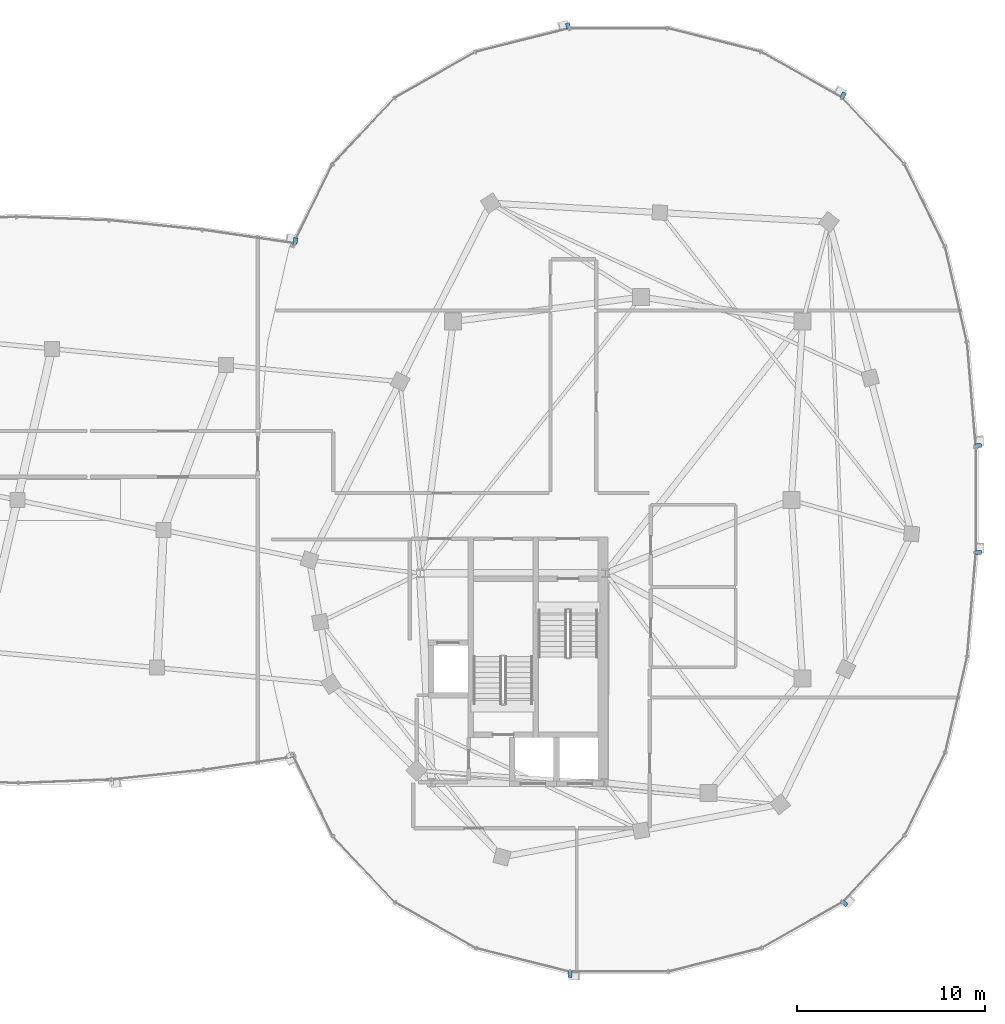
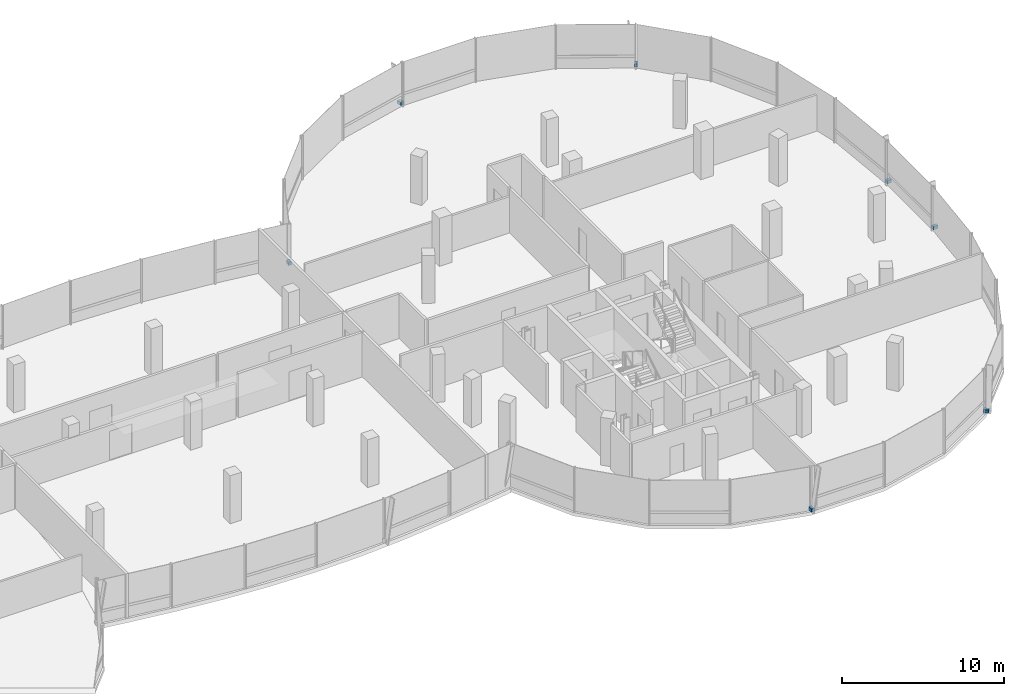
# One storey, part 19 of 25: 7 discrete accessories.
"""IFC4 building model written with IfcOpenShell, lengths in metres."""

from ifc_helpers import new_model, si_unit, direction, frame, origin, origin_2d, place, context, subcontext, project, spatial, rectangle, extrude, material, type_object, element, save


model = new_model("IFC4")

# Units and contexts
model_context = context("Model", 3, precision=1e-05, world=origin(), true_north=direction((0.0, 1.0)))
body_context = subcontext(model_context, "Body", "Model", "MODEL_VIEW")
ifc_project = project(units=[si_unit("LENGTHUNIT", "METRE"), si_unit("AREAUNIT", "SQUARE_METRE"), si_unit("VOLUMEUNIT", "CUBIC_METRE"), si_unit("PLANEANGLEUNIT", "RADIAN"), si_unit("MASSUNIT", "GRAM", prefix="KILO"), si_unit("THERMODYNAMICTEMPERATUREUNIT", "KELVIN"), si_unit("POWERUNIT", "WATT")], contexts=[model_context])

# Site, building, storey
site_placement = place(None, origin())
site = spatial("IfcSite", under=ifc_project, at=site_placement, CompositionType="ELEMENT")
building_placement = place(site_placement, origin())
building = spatial("IfcBuilding", under=site, at=building_placement, Name="Cundina Bronze Exchange", CompositionType="ELEMENT")
storey_placement = place(building_placement, frame((0.0, 0.0, 254.0)))
storey = spatial("IfcBuildingStorey", under=building, at=storey_placement, Name="L67", CompositionType="ELEMENT", Elevation=254.0)

# Discrete accessories
ifc_material = material(Name="Anodised Bronze Aluminium 6063-T6", Category="aluminium")
discrete_accessory_type = type_object("IfcDiscreteAccessoryType", Name="ACC-BRK-FIN", PredefinedType="BRACKET", material=ifc_material)
for number, where, z_axis, x_axis, name in (
    (1, (51.154541015625, 2.897216796875, 0.10009765625), (0.0, 0.0, 1.0), (-0.083747411454, 0.996487015006, 0.0), "L67 Fin Support Bracket 1"),
    (2, (43.958251953125, 21.54150390625, 0.10009765625), (0.0, 0.0, 1.0), (-0.869572506985, 0.493805280547, 0.0), "L67 Fin Support Bracket 5"),
    (3, (29.317626953125, 25.23681640625, 0.10009765625), (0.0, 0.0, 1.0), (-0.969731542251, -0.244173577528, 0.0), "L67 Fin Support Bracket 1"),
    (4, (29.423583984375, -25.25, 0.10009765625), (0.0, 0.0, 1.0), (1.0, 0.0, 0.0), "L67 Fin Support Bracket 5"),
    (5, (44.042236328125, -21.4755859375, 0.10009765625), (0.0, 0.0, 1.0), (0.684343512797, 0.72915976061, 0.0), "L67 Fin Support Bracket 1"),
    (6, (51.158935546875, -2.79150390625, 0.10009765625), (0.0, 0.0, 1.0), (0.0, 1.0, 0.0), "L67 Fin Support Bracket 5"),
    (7, (14.799560546875, 13.79736328125, 0.10009765625), (0.0, 0.0, 1.0), (-0.989528308409, 0.144338930496, 0.0), "L67 Fin Support Bracket 1"),
):
    element("IfcDiscreteAccessory", number, at=place(storey_placement, frame(where, z_axis=z_axis, x_axis=x_axis)), inside=storey, type_object=discrete_accessory_type, Name=name, PredefinedType="BRACKET", context=body_context, shape_type="SweptSolid", body=[
        extrude(rectangle(XDim=0.219970703125, YDim=0.320068359375, at=origin_2d()), origin(), (0.0, 0.0, 1.0), 0.239990234375),
    ])

save(model, "model.ifc")
